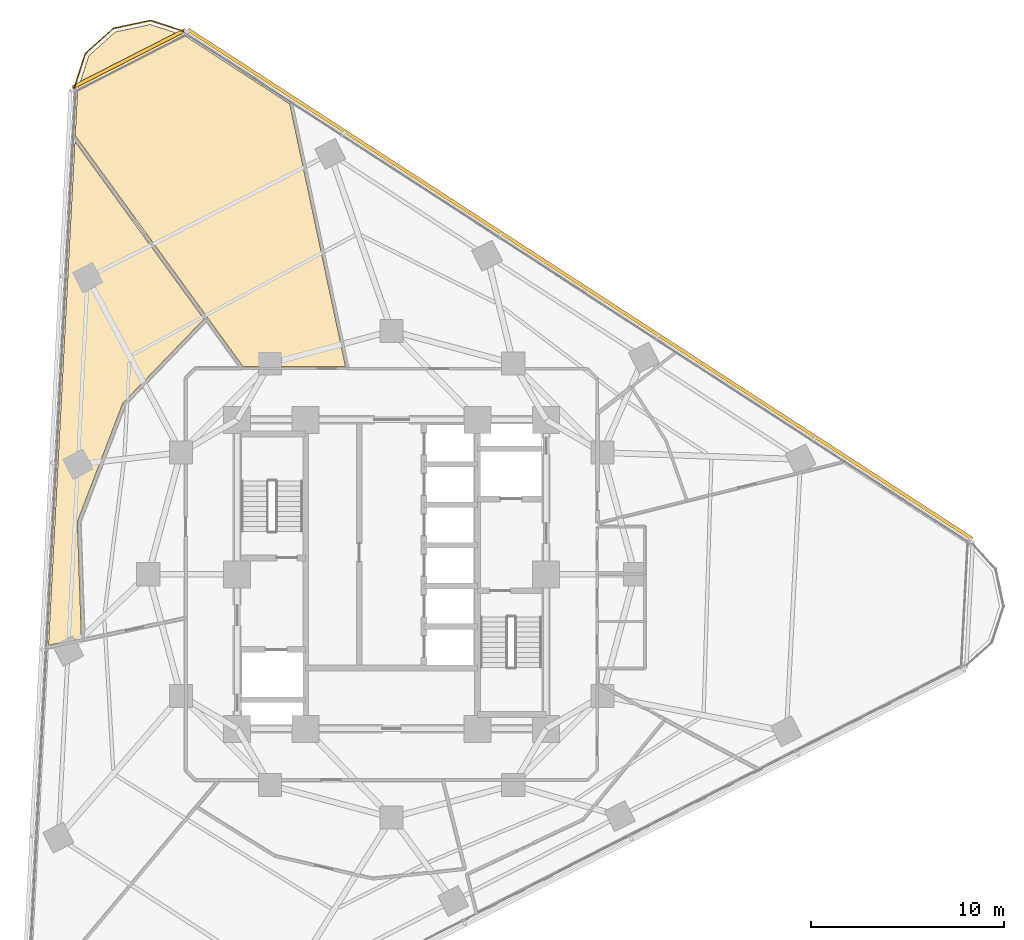
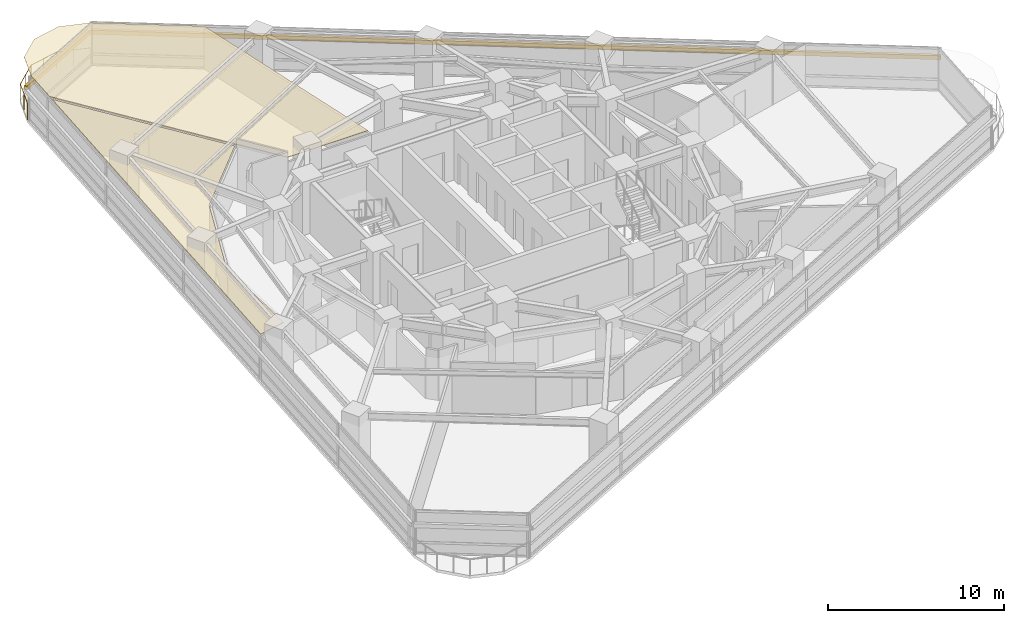
# One storey, part 14 of 14: 2 coverings, 2 shading devices, 1 railing.
"""IFC4 building model written with IfcOpenShell, lengths in metres."""

from ifc_helpers import new_model, si_unit, direction, frame, origin, origin_2d, place, context, subcontext, project, spatial, polyline, rectangle, circle, outline, extrude, material, layer, layer_set, type_object, element, save


model = new_model("IFC4")

# Units and contexts
model_context = context("Model", 3, precision=1e-05, world=origin(), true_north=direction((0.0, 1.0)))
body_context = subcontext(model_context, "Body", "Model", "MODEL_VIEW")
ifc_project = project(units=[si_unit("LENGTHUNIT", "METRE"), si_unit("AREAUNIT", "SQUARE_METRE"), si_unit("VOLUMEUNIT", "CUBIC_METRE"), si_unit("PLANEANGLEUNIT", "RADIAN"), si_unit("MASSUNIT", "GRAM", prefix="KILO")], contexts=[model_context])

# Site, building, storey
site_placement = place(None, origin())
site = spatial("IfcSite", under=ifc_project, at=site_placement, CompositionType="ELEMENT")
building_placement = place(site_placement, origin())
building = spatial("IfcBuilding", under=site, at=building_placement, Name="Terralouvre Media Tower", CompositionType="ELEMENT")
storey_placement = place(building_placement, frame((0.0, 0.0, 119.89990234375)))
storey = spatial("IfcBuildingStorey", under=building, at=storey_placement, Name="L30", CompositionType="ELEMENT", Elevation=119.89990234375)

# Coverings
ifc_material_1 = material(Name="Perforated aluminium acoustic ceiling baffle", Category="aluminium")
ifc_layer_1 = layer(ifc_material_1, 0.0400390625, Name="Perforated Acoustic Metal Tile Ceiling CL-AC1")
ifc_layer_set_1 = layer_set([ifc_layer_1], Name="Perforated aluminium acoustic ceiling baffle")
covering_type = type_object("IfcCoveringType", Name="Perforated Acoustic Metal Tile Ceiling CL-AC1", PredefinedType="CEILING", material=ifc_layer_set_1)
covering_1_placement = place(storey_placement, frame((0.0, 0.0, 2.97998046875), z_axis=(0.0, 0.0, 1.0), x_axis=(0.891006524188, 0.45399049974, 0.0)))
element("IfcCovering", 1, at=covering_1_placement, inside=storey, type_object=covering_type, Name="L30 Match-Day Catering Pantry 10 Acoustic Ceiling", PredefinedType="CEILING", context=body_context, shape_type="SweptSolid", body=[
    extrude(outline(polyline([(-2.4541015625, 16.13330078125), (-1.96875, 13.068115234375), (2.753173828125, 10.662109375), (6.35400390625, 24.0986328125), (3.11474609375, 29.708984375), (1.7861328125, 31.03759765625), (0.0, 31.515869140625), (-1.7861328125, 31.037353515625), (-3.11474609375, 29.708740234375), (-4.28369140625, 27.684326171875), (-2.4541015625, 16.13330078125)])), origin(), (0.0, 0.0, 1.0), 0.0400390625),
])
covering_2_placement = place(storey_placement, frame((0.0, 0.0, 2.97998046875), z_axis=(0.0, 0.0, 1.0), x_axis=(0.891006524188, 0.45399049974, 0.0)))
element("IfcCovering", 2, at=covering_2_placement, inside=storey, type_object=covering_type, Name="L30 League Statistics Library 11 Acoustic Ceiling", PredefinedType="CEILING", context=body_context, shape_type="SweptSolid", body=[
    extrude(outline(polyline([(-13.273681640625, 9.797607421875), (-13.26904296875, 9.806396484375), (-13.263427734375, 9.814697265625), (-13.257080078125, 9.822509765625), (-13.25, 9.82958984375), (-8.390869140625, 14.20556640625), (-8.383056640625, 14.211669921875), (-8.37451171875, 14.21728515625), (-8.36572265625, 14.221923828125), (-8.3564453125, 14.225830078125), (-2.664794921875, 16.18505859375), (-4.442626953125, 27.4091796875), (-17.499755859375, 4.79296875), (-15.81787109375, 4.341796875), (-13.273681640625, 9.797607421875)])), origin(), (0.0, 0.0, 1.0), 0.0400390625),
])

# Railing
ifc_material_2 = material(Name="Stainless steel 316 handrail and balustrade", Category="steel")
ifc_layer_2 = layer(ifc_material_2, 0.06005859375, Name="Roof Edge Safety Guardrail GR-ROOF1")
ifc_layer_set_2 = layer_set([ifc_layer_2], Name="Stainless steel 316 handrail and balustrade")
railing_type = type_object("IfcRailingType", Name="Roof Edge Safety Guardrail GR-ROOF1", PredefinedType="GUARDRAIL", material=ifc_layer_set_2)
railing_placement = place(storey_placement, frame((-10.611328125, 28.071044921875, 0.0)))
element("IfcRailing", 3, at=railing_placement, inside=storey, type_object=railing_type, Name="L30 Wind-Corner Perimeter Safety Guardrail C2", PredefinedType="GUARDRAIL", context=body_context, shape_type="SweptSolid", body=[
    extrude(circle(Radius=0.02099609375, at=origin_2d()), frame((0.0, 0.0, 1.12890625), z_axis=(-0.950979313277, 0.309254499918, 0.0), x_axis=(-0.309254499918, -0.950979313277, 0.0)), (0.0, 0.0, 1.0), 1.966552734375),
    extrude(circle(Radius=0.02099609375, at=origin_2d()), frame((-1.8701171875, 0.608154296875, 1.12890625), z_axis=(-0.9781553792, -0.207875092647, 0.0), x_axis=(0.207875092647, -0.9781553792, 0.0)), (0.0, 0.0, 1.0), 1.966064453125),
    extrude(circle(Radius=0.02099609375, at=origin_2d()), frame((-3.793212890625, 0.199462890625, 1.12890625), z_axis=(-0.743084172505, -0.66919796217, 0.0), x_axis=(0.66919796217, -0.743084172505, 0.0)), (0.0, 0.0, 1.0), 1.966064453125),
    extrude(circle(Radius=0.02099609375, at=origin_2d()), frame((-5.254150390625, -1.1162109375, 1.12890625), z_axis=(-0.308768829513, -0.951137114154, 0.0), x_axis=(0.951137114154, -0.308768829513, 0.0)), (0.0, 0.0, 1.0), 1.966552734375),
    extrude(circle(Radius=0.01904296875, at=origin_2d()), origin(), (0.0, 0.0, 1.0), 1.10791015625),
    extrude(circle(Radius=0.01904296875, at=origin_2d()), frame((-0.93505859375, 0.30419921875, 0.0)), (0.0, 0.0, 1.0), 1.10791015625),
    extrude(circle(Radius=0.01904296875, at=origin_2d()), frame((-1.8701171875, 0.608154296875, 0.0)), (0.0, 0.0, 1.0), 1.10791015625),
    extrude(circle(Radius=0.01904296875, at=origin_2d()), frame((-2.83154296875, 0.40380859375, 0.0)), (0.0, 0.0, 1.0), 1.10791015625),
    extrude(circle(Radius=0.01904296875, at=origin_2d()), frame((-3.793212890625, 0.199462890625, 0.0)), (0.0, 0.0, 1.0), 1.10791015625),
    extrude(circle(Radius=0.01904296875, at=origin_2d()), frame((-4.523681640625, -0.45849609375, 0.0)), (0.0, 0.0, 1.0), 1.10791015625),
    extrude(circle(Radius=0.01904296875, at=origin_2d()), frame((-5.254150390625, -1.1162109375, 0.0)), (0.0, 0.0, 1.0), 1.10791015625),
    extrude(circle(Radius=0.01904296875, at=origin_2d()), frame((-5.5576171875, -2.05126953125, 0.0)), (0.0, 0.0, 1.0), 1.10791015625),
    extrude(circle(Radius=0.01904296875, at=origin_2d()), frame((-5.861328125, -2.986572265625, 0.0)), (0.0, 0.0, 1.0), 1.10791015625),
])

# Shading devices
ifc_material_3 = material(Name="Extruded terracotta baguette sunshade louvres", Category="masonry")
shading_device_type = type_object("IfcShadingDeviceType", Name="Terracotta Baguette Sunshade Louvre Screen TB-LV1", PredefinedType="USERDEFINED", material=ifc_material_3)
shading_device_1_placement = place(storey_placement, frame((9.755615234375, 15.022216796875, 2.02392578125), z_axis=(0.0, 0.0, 1.0), x_axis=(-0.838670588944, 0.544639002681, 0.0)))
element("IfcShadingDevice", 4, at=shading_device_1_placement, inside=storey, type_object=shading_device_type, Name="CW-L30-F1 Terracotta Baguette Sunshade Louvre", ObjectType="BAGUETTE", PredefinedType="USERDEFINED", context=body_context, shape_type="SweptSolid", body=[
    extrude(rectangle(XDim=48.39990234375, YDim=0.179931640625, at=origin_2d()), origin(), (0.0, 0.0, 1.0), 0.280029296875),
])
shading_device_2_placement = place(storey_placement, frame((-13.603271484375, 26.697998046875, 2.02392578125), z_axis=(0.0, 0.0, 1.0), x_axis=(-0.891006600184, -0.45399035059, 0.0)))
element("IfcShadingDevice", 5, at=shading_device_2_placement, inside=storey, type_object=shading_device_type, Name="CW-L30-C2 Terracotta Baguette Sunshade Louvre", ObjectType="BAGUETTE", PredefinedType="USERDEFINED", context=body_context, shape_type="SweptSolid", body=[
    extrude(rectangle(XDim=6.581787109375, YDim=0.179931640625, at=origin_2d()), origin(), (0.0, 0.0, 1.0), 0.280029296875),
])

save(model, "model.ifc")
